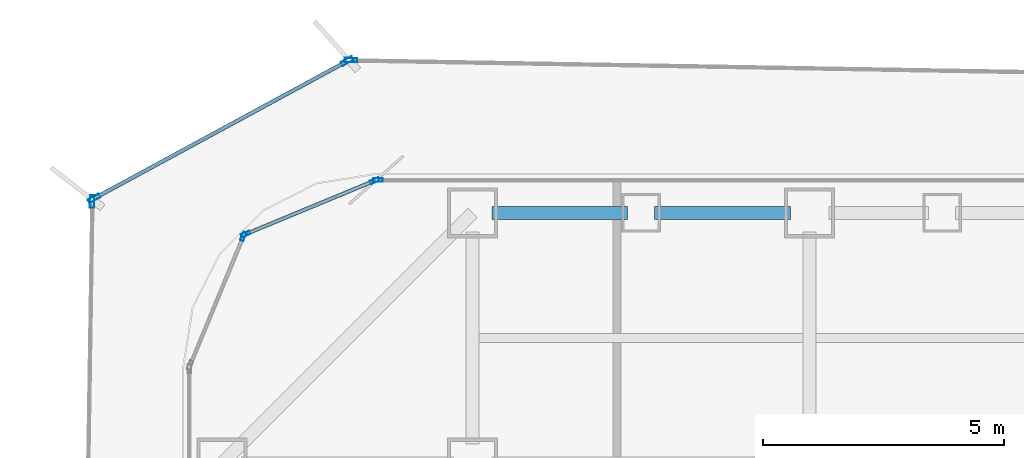
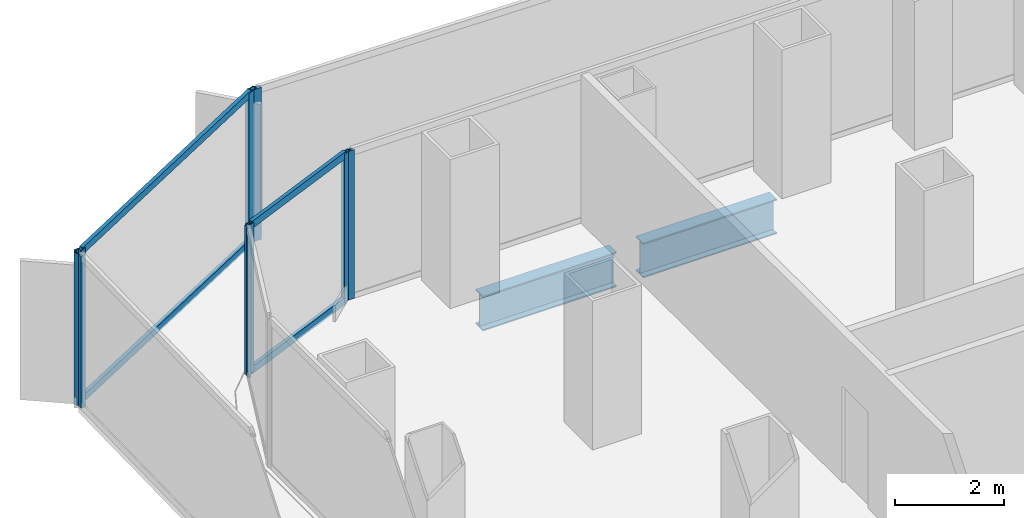
# One storey, part 11 of 22: 12 members, 2 beams, 6 elements without a shape of their own.
"""IFC4 building model written with IfcOpenShell, lengths in metres."""

from ifc_helpers import new_model, si_unit, direction, frame, origin, origin_2d, place, context, subcontext, project, spatial, hollow_rectangle, i_section, extrude, source, transform, mapped, material, layer, layer_set, material_profile, profile_set, type_object, element, aggregate, save


model = new_model("IFC4")

# Units and contexts
model_context = context("Model", 3, precision=1e-05, world=origin(), true_north=direction((0.0, 1.0)))
body_context = subcontext(model_context, "Body", "Model", "MODEL_VIEW")
ifc_project = project(units=[si_unit("LENGTHUNIT", "METRE"), si_unit("AREAUNIT", "SQUARE_METRE"), si_unit("VOLUMEUNIT", "CUBIC_METRE"), si_unit("PLANEANGLEUNIT", "RADIAN"), si_unit("MASSUNIT", "GRAM", prefix="KILO")], contexts=[model_context])

# Site, building, storey
site_placement = place(None, origin())
site = spatial("IfcSite", under=ifc_project, at=site_placement, CompositionType="ELEMENT")
building_placement = place(site_placement, origin())
building = spatial("IfcBuilding", under=site, at=building_placement, Name="Kolveth Station Tower", CompositionType="ELEMENT")
storey_placement = place(building_placement, frame((0.0, 0.0, 54.89990234375)))
storey = spatial("IfcBuildingStorey", under=building, at=storey_placement, Name="L14", CompositionType="ELEMENT", Elevation=54.89990234375)

# Beams
ifc_material_1 = material(Name="Steel S355", Category="steel")
ifc_material_profile_1 = material_profile(ifc_material_1, i_section(OverallWidth=0.26904296875, OverallDepth=0.77490234375, WebThickness=0.01708984375, FlangeThickness=0.0283203125, at=origin_2d()), Name="W760x220")
ifc_profile_set_1 = profile_set([ifc_material_profile_1], Name="Steel S355")
beam_type = type_object("IfcBeamType", Name="Beam_SP1", PredefinedType="SPANDREL", material=ifc_profile_set_1)
shared_shape_1 = source(origin(), body_context, "Body", "SweptSolid", [
    extrude(i_section(OverallWidth=0.26904296875, OverallDepth=0.77490234375, WebThickness=0.01708984375, FlangeThickness=0.0283203125, at=origin_2d()), origin(), (0.0, 0.0, 1.0), 2.820068359375),
])
for number, where, z_axis, x_axis, name in (
    (1, (6.39990234375, 39.699951171875, -0.66748046875), (1.0, 0.0, 0.0), (0.0, 1.0, 0.0), "L14 Perimeter Spandrel BM-L14-PN-1"),
    (2, (9.780029296875, 39.699951171875, -0.66748046875), (1.0, 0.0, 0.0), (0.0, 1.0, 0.0), "L14 Perimeter Spandrel BM-L14-PN-2"),
):
    element("IfcBeam", number, at=place(storey_placement, frame(where, z_axis=z_axis, x_axis=x_axis)), inside=storey, type_object=beam_type, Name=name, PredefinedType="SPANDREL", context=body_context, shape_type="MappedRepresentation", body=[
        mapped(shared_shape_1, transform((0.0, 0.0, 0.0), x_axis=(1.0, 0.0, 0.0), y_axis=(0.0, 1.0, 0.0), z_axis=(0.0, 0.0, 1.0), scale=1.0)),
    ])

# Curtain wall, member
ifc_material_2 = material(Name="Aluminium 6063-T6 and low-E dark glass", Category="aluminium")
ifc_layer_1 = layer(ifc_material_2, 0.179931640625)
ifc_layer_set_1 = layer_set([ifc_layer_1], Name="Aluminium 6063-T6 and low-E dark glass")
curtain_wall_type_1 = type_object("IfcCurtainWallType", Name="CurtainWall_CW-Z1", PredefinedType="NOTDEFINED", material=ifc_layer_set_1)
curtain_wall_1_placement = place(storey_placement, origin())
curtain_wall_1 = element("IfcCurtainWall", 3, at=curtain_wall_1_placement, inside=storey, type_object=curtain_wall_type_1, Name="L14 Inner Thermal Curtain Wall 6", PredefinedType="NOTDEFINED")
ifc_material_3 = material(Name="Black anodized aluminium 6063-T6", Category="aluminium")
ifc_material_profile_2 = material_profile(ifc_material_3, hollow_rectangle(XDim=0.074951171875, YDim=0.18994140625, WallThickness=0.0048828125, at=origin_2d()), Name="ALU-75x190x5")
ifc_profile_set_2 = profile_set([ifc_material_profile_2], Name="Black anodized aluminium 6063-T6")
member_type_1 = type_object("IfcMemberType", Name="Mullion_ML1", PredefinedType="MULLION", material=ifc_profile_set_2)
shared_shape_2 = source(origin(), body_context, "Body", "SweptSolid", [
    extrude(hollow_rectangle(XDim=0.074951171875, YDim=0.18994140625, WallThickness=0.0048828125, at=origin_2d()), origin(), (0.0, 0.0, 1.0), 3.320068359375),
])
member_1_placement = place(storey_placement, frame((4.03759765625, 40.3798828125, 0.0), z_axis=(0.0, 0.0, 1.0), x_axis=(0.0, -1.0, 0.0)))
member_1 = element("IfcMember", 4, at=member_1_placement, type_object=member_type_1, Name="CW-Z1 mullion 3", PredefinedType="MULLION", context=body_context, shape_type="MappedRepresentation", body=[
    mapped(shared_shape_2, transform((0.0, 0.0, 0.0), x_axis=(1.0, 0.0, 0.0), y_axis=(0.0, 1.0, 0.0), z_axis=(0.0, 0.0, 1.0), scale=1.0)),
])
aggregate(curtain_wall_1, [member_1])

# Curtain wall, members
curtain_wall_2_placement = place(storey_placement, origin())
curtain_wall_2 = element("IfcCurtainWall", 5, at=curtain_wall_2_placement, inside=storey, type_object=curtain_wall_type_1, Name="L14 Inner Thermal Curtain Wall 7", PredefinedType="NOTDEFINED")
member_2_placement = place(storey_placement, frame((3.96533203125, 40.36572265625, 0.0), z_axis=(0.0, 0.0, 1.0), x_axis=(0.382672990201, -0.923883857728, 0.0)))
member_2 = element("IfcMember", 6, at=member_2_placement, type_object=member_type_1, Name="CW-Z1 mullion 1", PredefinedType="MULLION", context=body_context, shape_type="MappedRepresentation", body=[
    mapped(shared_shape_2, transform((0.0, 0.0, 0.0), x_axis=(1.0, 0.0, 0.0), y_axis=(0.0, 1.0, 0.0), z_axis=(0.0, 0.0, 1.0), scale=1.0)),
])
member_3_placement = place(storey_placement, frame((1.291015625, 39.258056640625, 0.0), z_axis=(0.0, 0.0, 1.0), x_axis=(0.382672990201, -0.923883857728, 0.0)))
member_3 = element("IfcMember", 7, at=member_3_placement, type_object=member_type_1, Name="CW-Z1 mullion 2", PredefinedType="MULLION", context=body_context, shape_type="MappedRepresentation", body=[
    mapped(shared_shape_2, transform((0.0, 0.0, 0.0), x_axis=(1.0, 0.0, 0.0), y_axis=(0.0, 1.0, 0.0), z_axis=(0.0, 0.0, 1.0), scale=1.0)),
])

# Curtain wall, member
curtain_wall_3_placement = place(storey_placement, origin())
curtain_wall_3 = element("IfcCurtainWall", 8, at=curtain_wall_3_placement, inside=storey, type_object=curtain_wall_type_1, Name="L14 Inner Thermal Curtain Wall 8", PredefinedType="NOTDEFINED")
member_4_placement = place(storey_placement, frame((1.241943359375, 39.208984375, 0.0), z_axis=(0.0, 0.0, 1.0), x_axis=(0.923883857728, -0.382672990201, 0.0)))
member_4 = element("IfcMember", 9, at=member_4_placement, type_object=member_type_1, Name="CW-Z1 mullion 1", PredefinedType="MULLION", context=body_context, shape_type="MappedRepresentation", body=[
    mapped(shared_shape_2, transform((0.0, 0.0, 0.0), x_axis=(1.0, 0.0, 0.0), y_axis=(0.0, 1.0, 0.0), z_axis=(0.0, 0.0, 1.0), scale=1.0)),
])
aggregate(curtain_wall_3, [member_4])

# Member
ifc_material_profile_3 = material_profile(ifc_material_3, hollow_rectangle(XDim=0.074951171875, YDim=0.159912109375, WallThickness=0.0048828125, at=origin_2d()), Name="ALU-75x160x5")
ifc_profile_set_3 = profile_set([ifc_material_profile_3], Name="Black anodized aluminium 6063-T6")
member_type_2 = type_object("IfcMemberType", Name="Transom_TR1", PredefinedType="USERDEFINED", material=ifc_profile_set_3)
shared_shape_3 = source(origin(), body_context, "Body", "SweptSolid", [
    extrude(hollow_rectangle(XDim=0.074951171875, YDim=0.159912109375, WallThickness=0.0048828125, at=origin_2d()), origin(), (0.0, 0.0, 1.0), 2.819580078125),
])
member_5_placement = place(storey_placement, frame((3.9306640625, 40.351318359375, 0.03759765625), z_axis=(-0.923869084389, -0.382708655389, 0.0), x_axis=(0.382708655389, -0.923869084389, 0.0)))
member_5 = element("IfcMember", 10, at=member_5_placement, type_object=member_type_2, Name="CW-Z1 transom 1.1", ObjectType="TRANSOM", PredefinedType="USERDEFINED", context=body_context, shape_type="MappedRepresentation", body=[
    mapped(shared_shape_3, transform((0.0, 0.0, 0.0), x_axis=(1.0, 0.0, 0.0), y_axis=(0.0, 1.0, 0.0), z_axis=(0.0, 0.0, 1.0), scale=1.0)),
])

member_6_placement = place(storey_placement, frame((3.9306640625, 40.351318359375, 3.28271484375), z_axis=(-0.923869084389, -0.382708655389, 0.0), x_axis=(0.382708655389, -0.923869084389, 0.0)))
member_6 = element("IfcMember", 11, at=member_6_placement, type_object=member_type_2, Name="CW-Z1 transom 1.2", ObjectType="TRANSOM", PredefinedType="USERDEFINED", context=body_context, shape_type="MappedRepresentation", body=[
    mapped(shared_shape_3, transform((0.0, 0.0, 0.0), x_axis=(1.0, 0.0, 0.0), y_axis=(0.0, 1.0, 0.0), z_axis=(0.0, 0.0, 1.0), scale=1.0)),
])

aggregate(curtain_wall_2, [member_2, member_3, member_5, member_6])

# Curtain wall, member
ifc_material_4 = material(Name="Black anodized aluminium 6063-T6 and dark solar glass", Category="aluminium")
ifc_layer_2 = layer(ifc_material_4, 0.159912109375)
ifc_layer_set_2 = layer_set([ifc_layer_2], Name="Black anodized aluminium 6063-T6 and dark solar glass")
curtain_wall_type_2 = type_object("IfcCurtainWallType", Name="OUTER SKIN CW-OS", PredefinedType="NOTDEFINED", material=ifc_layer_set_2)
curtain_wall_4_placement = place(storey_placement, origin())
curtain_wall_4 = element("IfcCurtainWall", 12, at=curtain_wall_4_placement, inside=storey, type_object=curtain_wall_type_2, Name="L14 Outer Ventilated Skin Curtain Wall 4", PredefinedType="NOTDEFINED")
ifc_material_profile_4 = material_profile(ifc_material_3, hollow_rectangle(XDim=0.090087890625, YDim=0.260009765625, WallThickness=0.0048828125, at=origin_2d()), Name="ALU-90x260x5")
ifc_profile_set_4 = profile_set([ifc_material_profile_4], Name="Black anodized aluminium 6063-T6")
member_type_3 = type_object("IfcMemberType", Name="FIN MULLION ML-OS", PredefinedType="MULLION", material=ifc_profile_set_4)
shared_shape_4 = source(origin(), body_context, "Body", "SweptSolid", [
    extrude(hollow_rectangle(XDim=0.090087890625, YDim=0.260009765625, WallThickness=0.0048828125, at=origin_2d()), origin(), (0.0, 0.0, 1.0), 3.39013671875),
])
member_7_placement = place(storey_placement, frame((3.478759765625, 42.86865234375, 0.0), z_axis=(0.0, 0.0, 1.0), x_axis=(-0.017210176238, -0.999851893949, 0.0)))
member_7 = element("IfcMember", 13, at=member_7_placement, type_object=member_type_3, Name="CW-OS mullion 2", PredefinedType="MULLION", context=body_context, shape_type="MappedRepresentation", body=[
    mapped(shared_shape_4, transform((0.0, 0.0, 0.0), x_axis=(1.0, 0.0, 0.0), y_axis=(0.0, 1.0, 0.0), z_axis=(0.0, 0.0, 1.0), scale=1.0)),
])
aggregate(curtain_wall_4, [member_7])

# Curtain wall, members
curtain_wall_5_placement = place(storey_placement, origin())
curtain_wall_5 = element("IfcCurtainWall", 14, at=curtain_wall_5_placement, inside=storey, type_object=curtain_wall_type_2, Name="L14 Outer Ventilated Skin Curtain Wall 5", PredefinedType="NOTDEFINED")
member_8_placement = place(storey_placement, frame((3.394287109375, 42.847900390625, 0.0), z_axis=(0.0, 0.0, 1.0), x_axis=(0.476864498787, -0.878976819829, 0.0)))
member_8 = element("IfcMember", 15, at=member_8_placement, type_object=member_type_3, Name="CW-OS mullion 1", PredefinedType="MULLION", context=body_context, shape_type="MappedRepresentation", body=[
    mapped(shared_shape_4, transform((0.0, 0.0, 0.0), x_axis=(1.0, 0.0, 0.0), y_axis=(0.0, 1.0, 0.0), z_axis=(0.0, 0.0, 1.0), scale=1.0)),
])
member_9_placement = place(storey_placement, frame((-1.859130859375, 39.997802734375, 0.0), z_axis=(0.0, 0.0, 1.0), x_axis=(0.476864498787, -0.878976819829, 0.0)))
member_9 = element("IfcMember", 16, at=member_9_placement, type_object=member_type_3, Name="CW-OS mullion 2", PredefinedType="MULLION", context=body_context, shape_type="MappedRepresentation", body=[
    mapped(shared_shape_4, transform((0.0, 0.0, 0.0), x_axis=(1.0, 0.0, 0.0), y_axis=(0.0, 1.0, 0.0), z_axis=(0.0, 0.0, 1.0), scale=1.0)),
])

# Curtain wall, member
curtain_wall_6_placement = place(storey_placement, origin())
curtain_wall_6 = element("IfcCurtainWall", 17, at=curtain_wall_6_placement, inside=storey, type_object=curtain_wall_type_2, Name="L14 Outer Ventilated Skin Curtain Wall 6", PredefinedType="NOTDEFINED")
member_10_placement = place(storey_placement, frame((-1.8994140625, 39.931396484375, 0.0), z_axis=(0.0, 0.0, 1.0), x_axis=(0.999877673024, -0.015640939495, 0.0)))
member_10 = element("IfcMember", 18, at=member_10_placement, type_object=member_type_3, Name="CW-OS mullion 1", PredefinedType="MULLION", context=body_context, shape_type="MappedRepresentation", body=[
    mapped(shared_shape_4, transform((0.0, 0.0, 0.0), x_axis=(1.0, 0.0, 0.0), y_axis=(0.0, 1.0, 0.0), z_axis=(0.0, 0.0, 1.0), scale=1.0)),
])
aggregate(curtain_wall_6, [member_10])

# Member
ifc_material_profile_5 = material_profile(ifc_material_3, hollow_rectangle(XDim=0.080078125, YDim=0.14990234375, WallThickness=0.0048828125, at=origin_2d()), Name="ALU-80x150x5")
ifc_profile_set_5 = profile_set([ifc_material_profile_5], Name="Black anodized aluminium 6063-T6")
member_type_4 = type_object("IfcMemberType", Name="Transom_TR-OS", PredefinedType="USERDEFINED", material=ifc_profile_set_5)
shared_shape_5 = source(origin(), body_context, "Body", "SweptSolid", [
    extrude(hollow_rectangle(XDim=0.080078125, YDim=0.14990234375, WallThickness=0.0048828125, at=origin_2d()), origin(), (0.0, 0.0, 1.0), 5.88671875),
])
member_11_placement = place(storey_placement, frame((3.354736328125, 42.826416015625, 0.0400390625), z_axis=(-0.878980591539, -0.476857546547, 0.0), x_axis=(0.476857546547, -0.878980591539, 0.0)))
member_11 = element("IfcMember", 19, at=member_11_placement, type_object=member_type_4, Name="CW-OS transom 1.1", ObjectType="TRANSOM", PredefinedType="USERDEFINED", context=body_context, shape_type="MappedRepresentation", body=[
    mapped(shared_shape_5, transform((0.0, 0.0, 0.0), x_axis=(1.0, 0.0, 0.0), y_axis=(0.0, 1.0, 0.0), z_axis=(0.0, 0.0, 1.0), scale=1.0)),
])

member_12_placement = place(storey_placement, frame((3.354736328125, 42.826416015625, 3.35009765625), z_axis=(-0.878980591539, -0.476857546547, 0.0), x_axis=(0.476857546547, -0.878980591539, 0.0)))
member_12 = element("IfcMember", 20, at=member_12_placement, type_object=member_type_4, Name="CW-OS transom 1.2", ObjectType="TRANSOM", PredefinedType="USERDEFINED", context=body_context, shape_type="MappedRepresentation", body=[
    mapped(shared_shape_5, transform((0.0, 0.0, 0.0), x_axis=(1.0, 0.0, 0.0), y_axis=(0.0, 1.0, 0.0), z_axis=(0.0, 0.0, 1.0), scale=1.0)),
])

aggregate(curtain_wall_5, [member_8, member_9, member_11, member_12])

save(model, "model.ifc")
